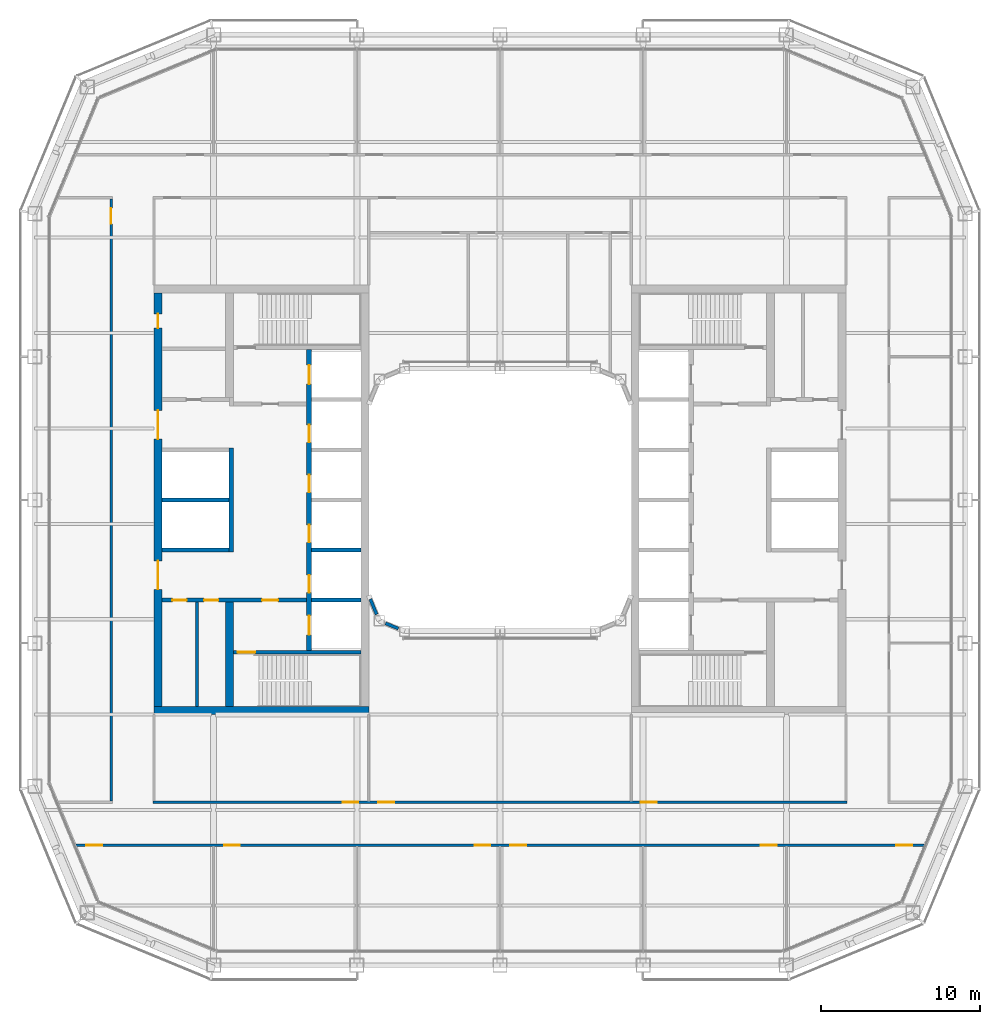
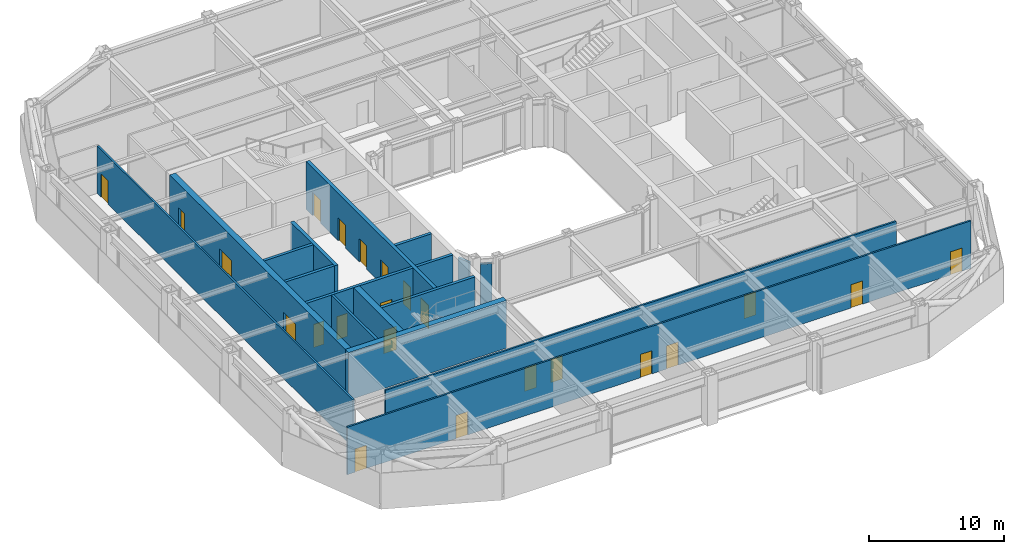
# One storey, part 11 of 21: 23 doors, 17 walls, 23 openings.
"""IFC4 building model written with IfcOpenShell, lengths in metres."""

import ifcopenshell
import ifcopenshell.guid

model = None  # the IFC model being written
_history = None  # IfcOwnerHistory: only IFC2X3 demands one
_inside = {}  # id of a spatial element -> (the spatial element, [elements in it])
_under = {}  # id of a project, library or spatial element -> (it, [spatial elements below it])
_declared = {}  # id of a project -> (the project, [libraries it declares])
_typed = {}  # id of a type object -> (the type object, [elements of that type])
_made_of = {}  # id of a material, layer set ... -> (it, [elements and type objects made of it])


def new_model(schema):
    """Start an empty IFC model of exactly this schema.

    Asked for "IFC4X3", IfcOpenShell would pick the latest addendum, in which some entities
    have other attributes; the version numbers below select the first issue.
    IFC2X3 requires an IfcOwnerHistory on every rooted entity: one is made here for all.
    """
    global model, _history
    if schema == "IFC4X3":
        model = ifcopenshell.file(schema_version=(4, 3, 0, 0))
    else:
        model = ifcopenshell.file(schema=schema)
    _inside.clear()
    _under.clear()
    _declared.clear()
    _typed.clear()
    _made_of.clear()
    _history = None
    if model.schema == "IFC2X3":
        org = make("IfcOrganization", Name="unknown")
        user = make(
            "IfcPersonAndOrganization",
            ThePerson=make("IfcPerson", FamilyName="unknown"),
            TheOrganization=org,
        )
        app = make(
            "IfcApplication",
            ApplicationDeveloper=org,
            Version="unknown",
            ApplicationFullName="unknown",
            ApplicationIdentifier="unknown",
        )
        _history = make(
            "IfcOwnerHistory",
            OwningUser=user,
            OwningApplication=app,
            ChangeAction="ADDED",
            CreationDate=0,
        )
    return model


def make(cls, **values):
    """One entity of the class cls with the attributes given. An attribute that is None is left unset."""
    return model.create_entity(
        cls, **{name: value for name, value in values.items() if value is not None}
    )


def rooted(cls, **values):
    """An entity with a GlobalId (a new one), such as an element, a storey or a relation."""
    return make(cls, GlobalId=ifcopenshell.guid.new(), OwnerHistory=_history, **values)


def si_unit(unit_type, name, prefix=None):
    """IfcSIUnit, for example si_unit("LENGTHUNIT", "METRE", prefix="MILLI")."""
    return make("IfcSIUnit", UnitType=unit_type, Prefix=prefix, Name=name)


def assignment(units):
    """IfcUnitAssignment: the units of a project."""
    return None if units is None else make("IfcUnitAssignment", Units=units)


def point(xyz):
    """IfcCartesianPoint."""
    return None if xyz is None else make("IfcCartesianPoint", Coordinates=xyz)


def direction(xyz):
    """IfcDirection."""
    return None if xyz is None else make("IfcDirection", DirectionRatios=xyz)


def frame(location, z_axis=None, x_axis=None):
    """IfcAxis2Placement3D, a coordinate frame: its origin and axes. An axis left out is left unset."""
    return make(
        "IfcAxis2Placement3D",
        Location=point(location),
        Axis=direction(z_axis),
        RefDirection=direction(x_axis),
    )


def frame_2d(location, x_axis=None):
    """IfcAxis2Placement2D, a coordinate frame in the plane: its origin and x axis."""
    return make(
        "IfcAxis2Placement2D", Location=point(location), RefDirection=direction(x_axis)
    )


def origin():
    """The frame at (0, 0, 0) with its axes left unset."""
    return frame((0.0, 0.0, 0.0))


def place(relative_to, where):
    """IfcLocalPlacement: puts the frame where relative to a parent placement (None: the world)."""
    return make(
        "IfcLocalPlacement", PlacementRelTo=relative_to, RelativePlacement=where
    )


def context(
    kind, dimensions, precision=None, world=None, true_north=None, identifier=None
):
    """IfcGeometricRepresentationContext, for example the 3D "Model" context."""
    return make(
        "IfcGeometricRepresentationContext",
        ContextIdentifier=identifier,
        ContextType=kind,
        CoordinateSpaceDimension=dimensions,
        Precision=precision,
        WorldCoordinateSystem=world,
        TrueNorth=true_north,
    )


def subcontext(parent, identifier, kind, view, scale=None):
    """IfcGeometricRepresentationSubContext, for example "Body" below "Model"."""
    return make(
        "IfcGeometricRepresentationSubContext",
        ContextIdentifier=identifier,
        ContextType=kind,
        ParentContext=parent,
        TargetScale=scale,
        TargetView=view,
    )


def project(units=None, contexts=None):
    """IfcProject with its units and contexts."""
    return rooted(
        "IfcProject",
        Name="project",
        RepresentationContexts=contexts,
        UnitsInContext=assignment(units),
    )


def spatial(cls, under=None, at=None, **own):
    """A site, building, storey or space (cls), placed at a placement, below another one or the project."""
    s = rooted(cls, ObjectPlacement=at, **own)
    if under is not None:
        _under.setdefault(under.id(), (under, []))[1].append(s)
    return s


def profile(cls, at=None, kind="AREA", **sizes):
    """A parametric profile (cls). Its sizes go by their IFC names, for example OverallWidth=200.0."""
    return make(cls, ProfileType=kind, Position=at, **sizes)


def rectangle(**sizes):
    """IfcRectangleProfileDef."""
    return profile("IfcRectangleProfileDef", **sizes)


def extrude(swept, where, along, depth):
    """IfcExtrudedAreaSolid: the profile swept, set in the frame where, extruded along a direction by depth."""
    return make(
        "IfcExtrudedAreaSolid",
        SweptArea=swept,
        Position=where,
        ExtrudedDirection=direction(along),
        Depth=depth,
    )


def shape(context_of_items, identifier, shape_type, items):
    """IfcShapeRepresentation: the items that make up one representation, for example the "Body"."""
    return make(
        "IfcShapeRepresentation",
        ContextOfItems=context_of_items,
        RepresentationIdentifier=identifier,
        RepresentationType=shape_type,
        Items=items,
    )


def material(Name=None, Category=None):
    """IfcMaterial."""
    return make("IfcMaterial", Name=Name, Category=Category)


def layer(
    of_material, thickness, ventilated=None, Name=None, Category=None, Priority=None
):
    """IfcMaterialLayer: one layer of a wall or slab, of a material (None: an air gap)."""
    return make(
        "IfcMaterialLayer",
        Material=of_material,
        LayerThickness=thickness,
        IsVentilated=ventilated,
        Name=Name,
        Category=Category,
        Priority=Priority,
    )


def layer_set(layers, Name=None):
    """IfcMaterialLayerSet."""
    return make("IfcMaterialLayerSet", MaterialLayers=layers, LayerSetName=Name)


def made_of(thing, what):
    """Note that an element or type object is made of a material, layer set ...; save() writes the relation."""
    if what is not None:
        _made_of.setdefault(what.id(), (what, []))[1].append(thing)
    return thing


def type_object(cls, material=None, **own):
    """A type object (cls), such as IfcWallType, which elements share."""
    return made_of(rooted(cls, **own), material)


def element(
    cls,
    number,
    at=None,
    inside=None,
    cuts=None,
    type_object=None,
    material=None,
    context=None,
    identifier="Body",
    shape_type=None,
    held_by="IfcProductDefinitionShape",
    body=None,
    shapes=None,
    **own,
):
    """One element of the class cls, such as IfcWall. Its Tag is "e" and its number.

    at: its placement. inside: the storey or other place that contains it. cuts: it is an
    opening in that element (IfcRelVoidsElement). A single representation is given by context,
    identifier, shape_type and body (its items); several are given by shapes. held_by: the class
    of the entity that holds the representations. save() writes the other relations.
    """
    e = rooted(cls, Tag="e%d" % number, ObjectPlacement=at, **own)
    if body is not None:
        shapes = [shape(context, identifier, shape_type, body)]
    if shapes is not None:
        e.Representation = make(held_by, Representations=shapes)
    if inside is not None:
        _inside.setdefault(inside.id(), (inside, []))[1].append(e)
    if cuts is not None:
        rooted(
            "IfcRelVoidsElement", RelatingBuildingElement=cuts, RelatedOpeningElement=e
        )
    if type_object is not None:
        _typed.setdefault(type_object.id(), (type_object, []))[1].append(e)
    return made_of(e, material)


def fill(opening, filler):
    """IfcRelFillsElement: the door or window that sits in an opening."""
    return rooted(
        "IfcRelFillsElement",
        RelatingOpeningElement=opening,
        RelatedBuildingElement=filler,
    )


def aggregate(whole, parts):
    """IfcRelAggregates: a whole, such as a stair, and the parts it consists of."""
    return rooted("IfcRelAggregates", RelatingObject=whole, RelatedObjects=parts)


def save(model, path):
    """Write the relations noted so far, then the file.

    IfcRelAggregates (storeys below a building ...), IfcRelContainedInSpatialStructure (elements
    in a storey), IfcRelDefinesByType, IfcRelAssociatesMaterial and IfcRelDeclares: one each for
    every whole, place, type object, material and project.
    """
    for whole, parts in _under.values():
        aggregate(whole, parts)
    for where, things in _inside.values():
        rooted(
            "IfcRelContainedInSpatialStructure",
            RelatedElements=things,
            RelatingStructure=where,
        )
    for kind, things in _typed.values():
        rooted("IfcRelDefinesByType", RelatedObjects=things, RelatingType=kind)
    for what, things in _made_of.values():
        rooted("IfcRelAssociatesMaterial", RelatedObjects=things, RelatingMaterial=what)
    for by, libraries in _declared.values():
        rooted("IfcRelDeclares", RelatingContext=by, RelatedDefinitions=libraries)
    model.write(path)


model = new_model("IFC4")

# Units and contexts
model_context = context("Model", 3, precision=1e-05, world=origin(), true_north=direction((0.0, 1.0)))
body_context = subcontext(model_context, "Body", "Model", "MODEL_VIEW")
ifc_project = project(units=[si_unit("LENGTHUNIT", "METRE"), si_unit("AREAUNIT", "SQUARE_METRE"), si_unit("VOLUMEUNIT", "CUBIC_METRE"), si_unit("PLANEANGLEUNIT", "RADIAN"), si_unit("MASSUNIT", "GRAM", prefix="KILO")], contexts=[model_context])

# Site, building, storey
site_placement = place(None, origin())
site = spatial("IfcSite", under=ifc_project, at=site_placement, CompositionType="ELEMENT")
building_placement = place(site_placement, origin())
building = spatial("IfcBuilding", under=site, at=building_placement, Name="Siwar Civic Tower", CompositionType="ELEMENT")
storey_placement = place(building_placement, frame((0.0, 0.0, 176.699951171875)))
storey = spatial("IfcBuildingStorey", under=building, at=storey_placement, Name="L38", CompositionType="ELEMENT", Elevation=176.699951171875)

# Wall
ifc_material_1 = material(Name="Gypsum board on steel studs", Category="steel")
ifc_layer_1 = layer(ifc_material_1, 0.199951171875)
ifc_layer_set_1 = layer_set([ifc_layer_1], Name="Gypsum board on steel studs")
wall_type_1 = type_object("IfcWallType", Name="CORE-PARTITION-200", PredefinedType="PARTITIONING", material=ifc_layer_set_1)
wall_1_placement = place(storey_placement, frame((-19.050048828125, -13.0, 0.0), z_axis=(0.0, 0.0, 1.0), x_axis=(0.0, 1.0, 0.0)))
element("IfcWall", 1, at=wall_1_placement, inside=storey, type_object=wall_type_1, Name="Core partition W", PredefinedType="PARTITIONING", context=body_context, shape_type="SweptSolid", body=[
    extrude(rectangle(XDim=6.574951171875, YDim=0.199951171875, at=frame_2d((3.28759765625, 0.0))), origin(), (0.0, 0.0, 1.0), 4.300048828125),
])

# Wall, openings, doors
ifc_material_2 = material(Name="Concrete C60/75", Category="concrete")
ifc_layer_2 = layer(ifc_material_2, 0.25)
ifc_layer_set_2 = layer_set([ifc_layer_2], Name="Concrete C60/75")
wall_type_2 = type_object("IfcWallType", Name="CORE-WALL-RC250", PredefinedType="SHEAR", material=ifc_layer_set_2)
wall_2_placement = place(storey_placement, frame((-12.14990234375, -6.300048828125, 0.0), z_axis=(0.0, 0.0, 1.0), x_axis=(-1.0, 0.0, 0.0)))
wall_2 = element("IfcWall", 2, at=wall_2_placement, inside=storey, type_object=wall_type_2, Name="Core wall W", PredefinedType="SHEAR", context=body_context, shape_type="SweptSolid", body=[
    extrude(rectangle(XDim=9.10009765625, YDim=0.25, at=frame_2d((4.550048828125, 0.0))), origin(), (0.0, 0.0, 1.0), 4.300048828125),
])
opening_1_placement = place(wall_2_placement, frame((1.800048828125, 0.0, 0.0)))
opening_1 = element("IfcOpeningElement", 3, at=opening_1_placement, cuts=wall_2, Name="Opening L38-CW02", PredefinedType="OPENING", context=body_context, shape_type="SweptSolid", body=[
    extrude(rectangle(XDim=1.0, YDim=2.10009765625, at=frame_2d((0.5, 1.050048828125))), frame((0.0, 0.135009765625, 0.0), z_axis=(0.0, -1.0, 0.0), x_axis=(1.0, 0.0, 0.0)), (0.0, 0.0, 1.0), 0.27001953125),
])
opening_2_placement = place(wall_2_placement, frame((5.550048828125, 0.0, 0.0)))
opening_2 = element("IfcOpeningElement", 4, at=opening_2_placement, cuts=wall_2, Name="Opening L38-CW15", PredefinedType="OPENING", context=body_context, shape_type="SweptSolid", body=[
    extrude(rectangle(XDim=0.89990234375, YDim=2.10009765625, at=frame_2d((0.449951171875, 1.050048828125))), frame((0.0, 0.135009765625, 0.0), z_axis=(0.0, -1.0, 0.0), x_axis=(1.0, 0.0, 0.0)), (0.0, 0.0, 1.0), 0.27001953125),
])
opening_3_placement = place(wall_2_placement, frame((7.550048828125, 0.0, 0.0)))
opening_3 = element("IfcOpeningElement", 5, at=opening_3_placement, cuts=wall_2, Name="Opening L38-CW16", PredefinedType="OPENING", context=body_context, shape_type="SweptSolid", body=[
    extrude(rectangle(XDim=0.89990234375, YDim=2.10009765625, at=frame_2d((0.449951171875, 1.050048828125))), frame((0.0, 0.135009765625, 0.0), z_axis=(0.0, -1.0, 0.0), x_axis=(1.0, 0.0, 0.0)), (0.0, 0.0, 1.0), 0.27001953125),
])
ifc_material_3 = material(Name="Steel door leaf", Category="steel")
door_type_1 = type_object("IfcDoorType", Name="CORE-DOOR-FD30S", OperationType="SINGLE_SWING_LEFT", PredefinedType="DOOR", material=ifc_material_3)
door_1_placement = place(opening_1_placement, origin())
door_1 = element("IfcDoor", 6, at=door_1_placement, inside=storey, type_object=door_type_1, Name="Service lobby door L38-CW02", OperationType="SINGLE_SWING_RIGHT", OverallHeight=2.10009765625, OverallWidth=1.0, PredefinedType="DOOR", context=body_context, shape_type="SweptSolid", body=[
    extrude(rectangle(XDim=1.0, YDim=2.10009765625, at=frame_2d((0.5, 1.050048828125))), frame((0.0, 0.02490234375, 0.0), z_axis=(0.0, -1.0, 0.0), x_axis=(1.0, 0.0, 0.0)), (0.0, 0.0, 1.0), 0.050048828125),
])
fill(opening_1, door_1)
ifc_material_4 = material(Name="Steel door leaf", Category="steel")
door_type_2 = type_object("IfcDoorType", Name="CORE-DOOR-ROOM", OperationType="SINGLE_SWING_LEFT", PredefinedType="DOOR", material=ifc_material_4)
door_2_placement = place(opening_2_placement, origin())
door_2 = element("IfcDoor", 7, at=door_2_placement, inside=storey, type_object=door_type_2, Name="Core room door L38-CW15", OperationType="SINGLE_SWING_LEFT", OverallHeight=2.10009765625, OverallWidth=0.89990234375, PredefinedType="DOOR", context=body_context, shape_type="SweptSolid", body=[
    extrude(rectangle(XDim=0.89990234375, YDim=2.10009765625, at=frame_2d((0.449951171875, 1.050048828125))), frame((0.0, 0.02490234375, 0.0), z_axis=(0.0, -1.0, 0.0), x_axis=(1.0, 0.0, 0.0)), (0.0, 0.0, 1.0), 0.050048828125),
])
fill(opening_2, door_2)
door_3_placement = place(opening_3_placement, origin())
door_3 = element("IfcDoor", 8, at=door_3_placement, inside=storey, type_object=door_type_2, Name="Core room door L38-CW16", OperationType="SINGLE_SWING_RIGHT", OverallHeight=2.10009765625, OverallWidth=0.89990234375, PredefinedType="DOOR", context=body_context, shape_type="SweptSolid", body=[
    extrude(rectangle(XDim=0.89990234375, YDim=2.10009765625, at=frame_2d((0.449951171875, 1.050048828125))), frame((0.0, 0.02490234375, 0.0), z_axis=(0.0, -1.0, 0.0), x_axis=(1.0, 0.0, 0.0)), (0.0, 0.0, 1.0), 0.050048828125),
])
fill(opening_3, door_3)

# Walls
for number, where, z_axis, x_axis, name in (
    (9, (-17.050048828125, 0.0, 0.0), (0.0, 0.0, 1.0), (-1.0, 0.0, 0.0), "Core wall W"),
    (10, (-17.050048828125, -3.14990234375, 0.0), (0.0, 0.0, 1.0), (-1.0, 0.0, 0.0), "Core wall W"),
):
    element("IfcWall", number, at=place(storey_placement, frame(where, z_axis=z_axis, x_axis=x_axis)), inside=storey, type_object=wall_type_2, Name=name, PredefinedType="SHEAR", context=body_context, shape_type="SweptSolid", body=[
        extrude(rectangle(XDim=4.199951171875, YDim=0.25, at=frame_2d((2.10009765625, 0.0))), origin(), (0.0, 0.0, 1.0), 4.300048828125),
    ])
for number, where, z_axis, x_axis, name in (
    (11, (-8.75, -3.14990234375, 0.0), (0.0, 0.0, 1.0), (-1.0, 0.0, 0.0), "Core wall W"),
    (12, (-8.75, -6.300048828125, 0.0), (0.0, 0.0, 1.0), (-1.0, 0.0, 0.0), "Core wall W"),
):
    element("IfcWall", number, at=place(storey_placement, frame(where, z_axis=z_axis, x_axis=x_axis)), inside=storey, type_object=wall_type_2, Name=name, PredefinedType="SHEAR", context=body_context, shape_type="SweptSolid", body=[
        extrude(rectangle(XDim=3.10009765625, YDim=0.25, at=frame_2d((1.550048828125, 0.0))), origin(), (0.0, 0.0, 1.0), 4.300048828125),
    ])

# Wall, opening, door
wall_3_placement = place(storey_placement, frame((-8.75, -9.574951171875, 0.0), z_axis=(0.0, 0.0, 1.0), x_axis=(-1.0, 0.0, 0.0)))
wall_3 = element("IfcWall", 13, at=wall_3_placement, inside=storey, type_object=wall_type_2, Name="Core wall W", PredefinedType="SHEAR", context=body_context, shape_type="SweptSolid", body=[
    extrude(rectangle(XDim=8.0, YDim=0.25, at=frame_2d((4.0, 0.0))), origin(), (0.0, 0.0, 1.0), 4.300048828125),
])
opening_4_placement = place(wall_3_placement, frame((6.64990234375, 0.0, 0.0)))
opening_4 = element("IfcOpeningElement", 14, at=opening_4_placement, cuts=wall_3, Name="Opening L38-CW04", PredefinedType="OPENING", context=body_context, shape_type="SweptSolid", body=[
    extrude(rectangle(XDim=1.10009765625, YDim=2.10009765625, at=frame_2d((0.550048828125, 1.050048828125))), frame((0.0, 0.135009765625, 0.0), z_axis=(0.0, -1.0, 0.0), x_axis=(1.0, 0.0, 0.0)), (0.0, 0.0, 1.0), 0.27001953125),
])
ifc_material_5 = material(Name="Steel door leaf", Category="steel")
door_type_3 = type_object("IfcDoorType", Name="CORE-DOOR-FD60S", OperationType="SINGLE_SWING_LEFT", PredefinedType="DOOR", material=ifc_material_5)
door_4_placement = place(opening_4_placement, origin())
door_4 = element("IfcDoor", 15, at=door_4_placement, inside=storey, type_object=door_type_3, Name="Stair door L38-CW04", OperationType="SINGLE_SWING_LEFT", OverallHeight=2.10009765625, OverallWidth=1.10009765625, PredefinedType="DOOR", context=body_context, shape_type="SweptSolid", body=[
    extrude(rectangle(XDim=1.10009765625, YDim=2.10009765625, at=frame_2d((0.550048828125, 1.050048828125))), frame((0.0, 0.02490234375, 0.0), z_axis=(0.0, -1.0, 0.0), x_axis=(1.0, 0.0, 0.0)), (0.0, 0.0, 1.0), 0.050048828125),
])
fill(opening_4, door_4)

# Wall, openings, doors
ifc_material_6 = material(Name="Concrete C60/75", Category="concrete")
ifc_layer_3 = layer(ifc_material_6, 0.300048828125)
ifc_layer_set_3 = layer_set([ifc_layer_3], Name="Concrete C60/75")
wall_type_3 = type_object("IfcWallType", Name="CORE-WALL-RC300", PredefinedType="SHEAR", material=ifc_layer_set_3)
wall_4_placement = place(storey_placement, frame((-12.0, -9.449951171875, 0.0), z_axis=(0.0, 0.0, 1.0), x_axis=(0.0, 1.0, 0.0)))
wall_4 = element("IfcWall", 16, at=wall_4_placement, inside=storey, type_object=wall_type_3, Name="Core wall W", PredefinedType="SHEAR", context=body_context, shape_type="SweptSolid", body=[
    extrude(rectangle(XDim=18.89990234375, YDim=0.300048828125, at=frame_2d((9.449951171875, 0.0))), origin(), (0.0, 0.0, 1.0), 4.300048828125),
])
opening_5_placement = place(wall_4_placement, frame((3.625, 0.0, 0.0)))
opening_5 = element("IfcOpeningElement", 17, at=opening_5_placement, cuts=wall_4, Name="Opening L38-CW07", PredefinedType="OPENING", context=body_context, shape_type="SweptSolid", body=[
    extrude(rectangle(XDim=1.10009765625, YDim=2.10009765625, at=frame_2d((0.550048828125, 1.050048828125))), frame((0.0, 0.16015625, 0.0), z_axis=(0.0, -1.0, 0.0), x_axis=(1.0, 0.0, 0.0)), (0.0, 0.0, 1.0), 0.320068359375),
])
opening_6_placement = place(wall_4_placement, frame((6.77490234375, 0.0, 0.0)))
opening_6 = element("IfcOpeningElement", 18, at=opening_6_placement, cuts=wall_4, Name="Opening L38-CW08", PredefinedType="OPENING", context=body_context, shape_type="SweptSolid", body=[
    extrude(rectangle(XDim=1.10009765625, YDim=2.10009765625, at=frame_2d((0.550048828125, 1.050048828125))), frame((0.0, 0.16015625, 0.0), z_axis=(0.0, -1.0, 0.0), x_axis=(1.0, 0.0, 0.0)), (0.0, 0.0, 1.0), 0.320068359375),
])
opening_7_placement = place(wall_4_placement, frame((9.925048828125, 0.0, 0.0)))
opening_7 = element("IfcOpeningElement", 19, at=opening_7_placement, cuts=wall_4, Name="Opening L38-CW09", PredefinedType="OPENING", context=body_context, shape_type="SweptSolid", body=[
    extrude(rectangle(XDim=1.10009765625, YDim=2.10009765625, at=frame_2d((0.550048828125, 1.050048828125))), frame((0.0, 0.16015625, 0.0), z_axis=(0.0, -1.0, 0.0), x_axis=(1.0, 0.0, 0.0)), (0.0, 0.0, 1.0), 0.320068359375),
])
opening_8_placement = place(wall_4_placement, frame((13.074951171875, 0.0, 0.0)))
opening_8 = element("IfcOpeningElement", 20, at=opening_8_placement, cuts=wall_4, Name="Opening L38-CW10", PredefinedType="OPENING", context=body_context, shape_type="SweptSolid", body=[
    extrude(rectangle(XDim=1.10009765625, YDim=2.10009765625, at=frame_2d((0.550048828125, 1.050048828125))), frame((0.0, 0.16015625, 0.0), z_axis=(0.0, -1.0, 0.0), x_axis=(1.0, 0.0, 0.0)), (0.0, 0.0, 1.0), 0.320068359375),
])
opening_9_placement = place(wall_4_placement, frame((16.72509765625, 0.0, 0.0)))
opening_9 = element("IfcOpeningElement", 21, at=opening_9_placement, cuts=wall_4, Name="Opening L38-CW11", PredefinedType="OPENING", context=body_context, shape_type="SweptSolid", body=[
    extrude(rectangle(XDim=1.199951171875, YDim=2.10009765625, at=frame_2d((0.60009765625, 1.050048828125))), frame((0.0, 0.16015625, 0.0), z_axis=(0.0, -1.0, 0.0), x_axis=(1.0, 0.0, 0.0)), (0.0, 0.0, 1.0), 0.320068359375),
])
opening_10_placement = place(wall_4_placement, frame((0.97509765625, 0.0, 0.0)))
opening_10 = element("IfcOpeningElement", 22, at=opening_10_placement, cuts=wall_4, Name="Opening L38-CW12", PredefinedType="OPENING", context=body_context, shape_type="SweptSolid", body=[
    extrude(rectangle(XDim=1.199951171875, YDim=2.10009765625, at=frame_2d((0.60009765625, 1.050048828125))), frame((0.0, 0.16015625, 0.0), z_axis=(0.0, -1.0, 0.0), x_axis=(1.0, 0.0, 0.0)), (0.0, 0.0, 1.0), 0.320068359375),
])
ifc_material_7 = material(Name="Steel door leaf", Category="steel")
door_type_4 = type_object("IfcDoorType", Name="CORE-DOOR-LD", OperationType="DOUBLE_DOOR_SLIDING", PredefinedType="DOOR", material=ifc_material_7)
door_5_placement = place(opening_5_placement, origin())
door_5 = element("IfcDoor", 23, at=door_5_placement, inside=storey, type_object=door_type_4, Name="Landing door LR1 L38-CW07", OperationType="DOUBLE_DOOR_SLIDING", OverallHeight=2.10009765625, OverallWidth=1.10009765625, PredefinedType="DOOR", context=body_context, shape_type="SweptSolid", body=[
    extrude(rectangle(XDim=1.10009765625, YDim=2.10009765625, at=frame_2d((0.550048828125, 1.050048828125))), frame((0.0, 0.02490234375, 0.0), z_axis=(0.0, -1.0, 0.0), x_axis=(1.0, 0.0, 0.0)), (0.0, 0.0, 1.0), 0.050048828125),
])
fill(opening_5, door_5)
door_6_placement = place(opening_6_placement, origin())
door_6 = element("IfcDoor", 24, at=door_6_placement, inside=storey, type_object=door_type_4, Name="Landing door LR2 L38-CW08", OperationType="DOUBLE_DOOR_SLIDING", OverallHeight=2.10009765625, OverallWidth=1.10009765625, PredefinedType="DOOR", context=body_context, shape_type="SweptSolid", body=[
    extrude(rectangle(XDim=1.10009765625, YDim=2.10009765625, at=frame_2d((0.550048828125, 1.050048828125))), frame((0.0, 0.02490234375, 0.0), z_axis=(0.0, -1.0, 0.0), x_axis=(1.0, 0.0, 0.0)), (0.0, 0.0, 1.0), 0.050048828125),
])
fill(opening_6, door_6)
door_7_placement = place(opening_7_placement, origin())
door_7 = element("IfcDoor", 25, at=door_7_placement, inside=storey, type_object=door_type_4, Name="Landing door LR3 L38-CW09", OperationType="DOUBLE_DOOR_SLIDING", OverallHeight=2.10009765625, OverallWidth=1.10009765625, PredefinedType="DOOR", context=body_context, shape_type="SweptSolid", body=[
    extrude(rectangle(XDim=1.10009765625, YDim=2.10009765625, at=frame_2d((0.550048828125, 1.050048828125))), frame((0.0, 0.02490234375, 0.0), z_axis=(0.0, -1.0, 0.0), x_axis=(1.0, 0.0, 0.0)), (0.0, 0.0, 1.0), 0.050048828125),
])
fill(opening_7, door_7)
door_8_placement = place(opening_8_placement, origin())
door_8 = element("IfcDoor", 26, at=door_8_placement, inside=storey, type_object=door_type_4, Name="Landing door LR4 L38-CW10", OperationType="DOUBLE_DOOR_SLIDING", OverallHeight=2.10009765625, OverallWidth=1.10009765625, PredefinedType="DOOR", context=body_context, shape_type="SweptSolid", body=[
    extrude(rectangle(XDim=1.10009765625, YDim=2.10009765625, at=frame_2d((0.550048828125, 1.050048828125))), frame((0.0, 0.02490234375, 0.0), z_axis=(0.0, -1.0, 0.0), x_axis=(1.0, 0.0, 0.0)), (0.0, 0.0, 1.0), 0.050048828125),
])
fill(opening_8, door_8)
ifc_material_8 = material(Name="Steel door leaf", Category="steel")
door_type_5 = type_object("IfcDoorType", Name="CORE-DOOR-LDW", OperationType="DOUBLE_DOOR_SLIDING", PredefinedType="DOOR", material=ifc_material_8)
door_9_placement = place(opening_9_placement, origin())
door_9 = element("IfcDoor", 27, at=door_9_placement, inside=storey, type_object=door_type_5, Name="Landing door FF1 L38-CW11", OperationType="DOUBLE_DOOR_SLIDING", OverallHeight=2.10009765625, OverallWidth=1.199951171875, PredefinedType="DOOR", context=body_context, shape_type="SweptSolid", body=[
    extrude(rectangle(XDim=1.199951171875, YDim=2.10009765625, at=frame_2d((0.60009765625, 1.050048828125))), frame((0.0, 0.02490234375, 0.0), z_axis=(0.0, -1.0, 0.0), x_axis=(1.0, 0.0, 0.0)), (0.0, 0.0, 1.0), 0.050048828125),
])
fill(opening_9, door_9)
door_10_placement = place(opening_10_placement, origin())
door_10 = element("IfcDoor", 28, at=door_10_placement, inside=storey, type_object=door_type_5, Name="Landing door SV1 L38-CW12", OperationType="DOUBLE_DOOR_SLIDING", OverallHeight=2.10009765625, OverallWidth=1.199951171875, PredefinedType="DOOR", context=body_context, shape_type="SweptSolid", body=[
    extrude(rectangle(XDim=1.199951171875, YDim=2.10009765625, at=frame_2d((0.60009765625, 1.050048828125))), frame((0.0, 0.02490234375, 0.0), z_axis=(0.0, -1.0, 0.0), x_axis=(1.0, 0.0, 0.0)), (0.0, 0.0, 1.0), 0.050048828125),
])
fill(opening_10, door_10)

# Wall
wall_5_placement = place(storey_placement, frame((-16.89990234375, -3.27490234375, 0.0), z_axis=(0.0, 0.0, 1.0), x_axis=(0.0, 1.0, 0.0)))
element("IfcWall", 29, at=wall_5_placement, inside=storey, type_object=wall_type_3, Name="Core wall W", PredefinedType="SHEAR", context=body_context, shape_type="SweptSolid", body=[
    extrude(rectangle(XDim=6.5498046875, YDim=0.300048828125, at=frame_2d((3.27490234375, 0.0))), origin(), (0.0, 0.0, 1.0), 4.300048828125),
])

# Wall, openings, doors
ifc_material_9 = material(Name="Concrete C60/75", Category="concrete")
ifc_layer_4 = layer(ifc_material_9, 0.5)
ifc_layer_set_4 = layer_set([ifc_layer_4], Name="Concrete C60/75")
wall_type_4 = type_object("IfcWallType", Name="CORE-WALL-RC500", PredefinedType="SHEAR", material=ifc_layer_set_4)
wall_6_placement = place(storey_placement, frame((-21.5, -13.0, 0.0), z_axis=(0.0, 0.0, 1.0), x_axis=(0.0, 1.0, 0.0)))
wall_6 = element("IfcWall", 30, at=wall_6_placement, inside=storey, type_object=wall_type_4, Name="Core wall W", PredefinedType="SHEAR", context=body_context, shape_type="SweptSolid", body=[
    extrude(rectangle(XDim=26.0, YDim=0.5, at=frame_2d((13.0, 0.0))), origin(), (0.0, 0.0, 1.0), 4.300048828125),
])
opening_11_placement = place(wall_6_placement, frame((16.824951171875, 0.0, 0.0)))
opening_11 = element("IfcOpeningElement", 31, at=opening_11_placement, cuts=wall_6, Name="Opening L38-CW05", PredefinedType="OPENING", context=body_context, shape_type="SweptSolid", body=[
    extrude(rectangle(XDim=1.800048828125, YDim=2.10009765625, at=frame_2d((0.89990234375, 1.050048828125))), frame((0.0, 0.260009765625, 0.0), z_axis=(0.0, -1.0, 0.0), x_axis=(1.0, 0.0, 0.0)), (0.0, 0.0, 1.0), 0.52001953125),
])
opening_12_placement = place(wall_6_placement, frame((7.375, 0.0, 0.0)))
opening_12 = element("IfcOpeningElement", 32, at=opening_12_placement, cuts=wall_6, Name="Opening L38-CW06", PredefinedType="OPENING", context=body_context, shape_type="SweptSolid", body=[
    extrude(rectangle(XDim=1.800048828125, YDim=2.10009765625, at=frame_2d((0.89990234375, 1.050048828125))), frame((0.0, 0.260009765625, 0.0), z_axis=(0.0, -1.0, 0.0), x_axis=(1.0, 0.0, 0.0)), (0.0, 0.0, 1.0), 0.52001953125),
])
opening_13_placement = place(wall_6_placement, frame((23.800048828125, 0.0, 0.0)))
opening_13 = element("IfcOpeningElement", 33, at=opening_13_placement, cuts=wall_6, Name="Opening L38-CW14", PredefinedType="OPENING", context=body_context, shape_type="SweptSolid", body=[
    extrude(rectangle(XDim=0.89990234375, YDim=2.10009765625, at=frame_2d((0.449951171875, 1.050048828125))), frame((0.0, 0.260009765625, 0.0), z_axis=(0.0, -1.0, 0.0), x_axis=(1.0, 0.0, 0.0)), (0.0, 0.0, 1.0), 0.52001953125),
])
ifc_material_10 = material(Name="Steel door leaf", Category="steel")
door_type_6 = type_object("IfcDoorType", Name="CORE-DOOR-PORT", OperationType="DOUBLE_DOOR_DOUBLE_SWING", PredefinedType="DOOR", material=ifc_material_10)
door_11_placement = place(opening_11_placement, origin())
door_11 = element("IfcDoor", 34, at=door_11_placement, inside=storey, type_object=door_type_6, Name="Core entrance door L38-CW05", OperationType="DOUBLE_DOOR_DOUBLE_SWING", OverallHeight=2.10009765625, OverallWidth=1.800048828125, PredefinedType="DOOR", context=body_context, shape_type="SweptSolid", body=[
    extrude(rectangle(XDim=1.800048828125, YDim=2.10009765625, at=frame_2d((0.89990234375, 1.050048828125))), frame((0.0, 0.02490234375, 0.0), z_axis=(0.0, -1.0, 0.0), x_axis=(1.0, 0.0, 0.0)), (0.0, 0.0, 1.0), 0.050048828125),
])
fill(opening_11, door_11)
door_12_placement = place(opening_12_placement, origin())
door_12 = element("IfcDoor", 35, at=door_12_placement, inside=storey, type_object=door_type_6, Name="Core entrance door L38-CW06", OperationType="DOUBLE_DOOR_DOUBLE_SWING", OverallHeight=2.10009765625, OverallWidth=1.800048828125, PredefinedType="DOOR", context=body_context, shape_type="SweptSolid", body=[
    extrude(rectangle(XDim=1.800048828125, YDim=2.10009765625, at=frame_2d((0.89990234375, 1.050048828125))), frame((0.0, 0.02490234375, 0.0), z_axis=(0.0, -1.0, 0.0), x_axis=(1.0, 0.0, 0.0)), (0.0, 0.0, 1.0), 0.050048828125),
])
fill(opening_12, door_12)
door_13_placement = place(opening_13_placement, origin())
door_13 = element("IfcDoor", 36, at=door_13_placement, inside=storey, type_object=door_type_2, Name="Core room door L38-CW14", OperationType="SINGLE_SWING_LEFT", OverallHeight=2.10009765625, OverallWidth=0.89990234375, PredefinedType="DOOR", context=body_context, shape_type="SweptSolid", body=[
    extrude(rectangle(XDim=0.89990234375, YDim=2.10009765625, at=frame_2d((0.449951171875, 1.050048828125))), frame((0.0, 0.02490234375, 0.0), z_axis=(0.0, -1.0, 0.0), x_axis=(1.0, 0.0, 0.0)), (0.0, 0.0, 1.0), 0.050048828125),
])
fill(opening_13, door_13)

# Walls
wall_7_placement = place(storey_placement, frame((-17.0, -13.0, 0.0), z_axis=(0.0, 0.0, 1.0), x_axis=(0.0, 1.0, 0.0)))
element("IfcWall", 37, at=wall_7_placement, inside=storey, type_object=wall_type_4, Name="Core wall W", PredefinedType="SHEAR", context=body_context, shape_type="SweptSolid", body=[
    extrude(rectangle(XDim=6.574951171875, YDim=0.5, at=frame_2d((3.28759765625, 0.0))), origin(), (0.0, 0.0, 1.0), 4.300048828125),
])
wall_8_placement = place(storey_placement, frame((-8.25, -13.25, 0.0), z_axis=(0.0, 0.0, 1.0), x_axis=(-1.0, 0.0, 0.0)))
element("IfcWall", 38, at=wall_8_placement, inside=storey, type_object=wall_type_4, Name="Core wall W", PredefinedType="SHEAR", context=body_context, shape_type="SweptSolid", body=[
    extrude(rectangle(XDim=13.5, YDim=0.5, at=frame_2d((6.75, 0.0))), origin(), (0.0, 0.0, 1.0), 4.300048828125),
])

# Wall, openings, doors
ifc_material_11 = material(Name="Gypsum board on steel studs", Category="steel")
ifc_layer_5 = layer(ifc_material_11, 0.14990234375)
ifc_layer_set_5 = layer_set([ifc_layer_5], Name="Gypsum board on steel studs")
wall_type_5 = type_object("IfcWallType", Name="CORRIDOR PARTITION 150 EI 30", PredefinedType="PARTITIONING", material=ifc_layer_set_5)
wall_9_placement = place(storey_placement, frame((-26.64599609375, -21.699951171875, 0.0), z_axis=(0.0, 0.0, 1.0), x_axis=(1.0, 0.0, 0.0)))
wall_9 = element("IfcWall", 39, at=wall_9_placement, inside=storey, type_object=wall_type_5, Name="L38/wall/P01", PredefinedType="PARTITIONING", context=body_context, shape_type="SweptSolid", body=[
    extrude(rectangle(XDim=53.2919921875, YDim=0.14990234375, at=frame_2d((26.64599609375, 0.0))), origin(), (0.0, 0.0, 1.0), 4.300048828125),
])
opening_14_placement = place(wall_9_placement, frame((9.2958984375, 0.0, 0.0)))
opening_14 = element("IfcOpeningElement", 40, at=opening_14_placement, cuts=wall_9, Name="Opening D1", PredefinedType="OPENING", context=body_context, shape_type="SweptSolid", body=[
    extrude(rectangle(XDim=1.0, YDim=2.10009765625, at=frame_2d((0.5, 1.050048828125))), frame((0.0, 0.0849609375, 0.0), z_axis=(0.0, -1.0, 0.0), x_axis=(1.0, 0.0, 0.0)), (0.0, 0.0, 1.0), 0.169921875),
])
opening_15_placement = place(wall_9_placement, frame((25.0458984375, 0.0, 0.0)))
opening_15 = element("IfcOpeningElement", 41, at=opening_15_placement, cuts=wall_9, Name="Opening D1", PredefinedType="OPENING", context=body_context, shape_type="SweptSolid", body=[
    extrude(rectangle(XDim=1.0, YDim=2.10009765625, at=frame_2d((0.5, 1.050048828125))), frame((0.0, 0.0849609375, 0.0), z_axis=(0.0, -1.0, 0.0), x_axis=(1.0, 0.0, 0.0)), (0.0, 0.0, 1.0), 0.169921875),
])
opening_16_placement = place(wall_9_placement, frame((27.2958984375, 0.0, 0.0)))
opening_16 = element("IfcOpeningElement", 42, at=opening_16_placement, cuts=wall_9, Name="Opening D1", PredefinedType="OPENING", context=body_context, shape_type="SweptSolid", body=[
    extrude(rectangle(XDim=1.0, YDim=2.10009765625, at=frame_2d((0.5, 1.050048828125))), frame((0.0, 0.0849609375, 0.0), z_axis=(0.0, -1.0, 0.0), x_axis=(1.0, 0.0, 0.0)), (0.0, 0.0, 1.0), 0.169921875),
])
opening_17_placement = place(wall_9_placement, frame((43.0458984375, 0.0, 0.0)))
opening_17 = element("IfcOpeningElement", 43, at=opening_17_placement, cuts=wall_9, Name="Opening D1", PredefinedType="OPENING", context=body_context, shape_type="SweptSolid", body=[
    extrude(rectangle(XDim=1.0, YDim=2.10009765625, at=frame_2d((0.5, 1.050048828125))), frame((0.0, 0.0849609375, 0.0), z_axis=(0.0, -1.0, 0.0), x_axis=(1.0, 0.0, 0.0)), (0.0, 0.0, 1.0), 0.169921875),
])
opening_18_placement = place(wall_9_placement, frame((0.64990234375, 0.0, 0.0)))
opening_18 = element("IfcOpeningElement", 44, at=opening_18_placement, cuts=wall_9, Name="Opening D1", PredefinedType="OPENING", context=body_context, shape_type="SweptSolid", body=[
    extrude(rectangle(XDim=1.0, YDim=2.10009765625, at=frame_2d((0.5, 1.050048828125))), frame((0.0, 0.0849609375, 0.0), z_axis=(0.0, -1.0, 0.0), x_axis=(1.0, 0.0, 0.0)), (0.0, 0.0, 1.0), 0.169921875),
])
opening_19_placement = place(wall_9_placement, frame((51.5458984375, 0.0, 0.0)))
opening_19 = element("IfcOpeningElement", 45, at=opening_19_placement, cuts=wall_9, Name="Opening D1", PredefinedType="OPENING", context=body_context, shape_type="SweptSolid", body=[
    extrude(rectangle(XDim=1.0, YDim=2.10009765625, at=frame_2d((0.5, 1.050048828125))), frame((0.0, 0.0849609375, 0.0), z_axis=(0.0, -1.0, 0.0), x_axis=(1.0, 0.0, 0.0)), (0.0, 0.0, 1.0), 0.169921875),
])
ifc_material_12 = material(Name="Timber, painted", Category="wood")
door_type_7 = type_object("IfcDoorType", Name="DOOR 1000 X 2100 FD30", OperationType="SINGLE_SWING_LEFT", PredefinedType="DOOR", material=ifc_material_12)
door_14_placement = place(opening_14_placement, origin())
door_14 = element("IfcDoor", 46, at=door_14_placement, inside=storey, type_object=door_type_7, Name="L38-D05", OperationType="SINGLE_SWING_LEFT", OverallHeight=2.10009765625, OverallWidth=1.0, PredefinedType="DOOR", context=body_context, shape_type="SweptSolid", body=[
    extrude(rectangle(XDim=1.0, YDim=2.10009765625, at=frame_2d((0.5, 1.050048828125))), frame((0.0, 0.02490234375, 0.0), z_axis=(0.0, -1.0, 0.0), x_axis=(1.0, 0.0, 0.0)), (0.0, 0.0, 1.0), 0.050048828125),
])
fill(opening_14, door_14)
door_15_placement = place(opening_15_placement, origin())
door_15 = element("IfcDoor", 47, at=door_15_placement, inside=storey, type_object=door_type_7, Name="L38-D06", OperationType="SINGLE_SWING_RIGHT", OverallHeight=2.10009765625, OverallWidth=1.0, PredefinedType="DOOR", context=body_context, shape_type="SweptSolid", body=[
    extrude(rectangle(XDim=1.0, YDim=2.10009765625, at=frame_2d((0.5, 1.050048828125))), frame((0.0, 0.02490234375, 0.0), z_axis=(0.0, -1.0, 0.0), x_axis=(1.0, 0.0, 0.0)), (0.0, 0.0, 1.0), 0.050048828125),
])
fill(opening_15, door_15)
door_16_placement = place(opening_16_placement, origin())
door_16 = element("IfcDoor", 48, at=door_16_placement, inside=storey, type_object=door_type_7, Name="L38-D07", OperationType="SINGLE_SWING_LEFT", OverallHeight=2.10009765625, OverallWidth=1.0, PredefinedType="DOOR", context=body_context, shape_type="SweptSolid", body=[
    extrude(rectangle(XDim=1.0, YDim=2.10009765625, at=frame_2d((0.5, 1.050048828125))), frame((0.0, 0.02490234375, 0.0), z_axis=(0.0, -1.0, 0.0), x_axis=(1.0, 0.0, 0.0)), (0.0, 0.0, 1.0), 0.050048828125),
])
fill(opening_16, door_16)
door_17_placement = place(opening_17_placement, origin())
door_17 = element("IfcDoor", 49, at=door_17_placement, inside=storey, type_object=door_type_7, Name="L38-D08", OperationType="SINGLE_SWING_RIGHT", OverallHeight=2.10009765625, OverallWidth=1.0, PredefinedType="DOOR", context=body_context, shape_type="SweptSolid", body=[
    extrude(rectangle(XDim=1.0, YDim=2.10009765625, at=frame_2d((0.5, 1.050048828125))), frame((0.0, 0.02490234375, 0.0), z_axis=(0.0, -1.0, 0.0), x_axis=(1.0, 0.0, 0.0)), (0.0, 0.0, 1.0), 0.050048828125),
])
fill(opening_17, door_17)
door_18_placement = place(opening_18_placement, origin())
door_18 = element("IfcDoor", 50, at=door_18_placement, inside=storey, type_object=door_type_7, Name="L38-D11", OperationType="SINGLE_SWING_LEFT", OverallHeight=2.10009765625, OverallWidth=1.0, PredefinedType="DOOR", context=body_context, shape_type="SweptSolid", body=[
    extrude(rectangle(XDim=1.0, YDim=2.10009765625, at=frame_2d((0.5, 1.050048828125))), frame((0.0, 0.02490234375, 0.0), z_axis=(0.0, -1.0, 0.0), x_axis=(1.0, 0.0, 0.0)), (0.0, 0.0, 1.0), 0.050048828125),
])
fill(opening_18, door_18)
door_19_placement = place(opening_19_placement, origin())
door_19 = element("IfcDoor", 51, at=door_19_placement, inside=storey, type_object=door_type_7, Name="L38-D12", OperationType="SINGLE_SWING_RIGHT", OverallHeight=2.10009765625, OverallWidth=1.0, PredefinedType="DOOR", context=body_context, shape_type="SweptSolid", body=[
    extrude(rectangle(XDim=1.0, YDim=2.10009765625, at=frame_2d((0.5, 1.050048828125))), frame((0.0, 0.02490234375, 0.0), z_axis=(0.0, -1.0, 0.0), x_axis=(1.0, 0.0, 0.0)), (0.0, 0.0, 1.0), 0.050048828125),
])
fill(opening_19, door_19)

wall_10_placement = place(storey_placement, frame((-21.824951171875, -19.0, 0.0), z_axis=(0.0, 0.0, 1.0), x_axis=(1.0, 0.0, 0.0)))
wall_10 = element("IfcWall", 52, at=wall_10_placement, inside=storey, type_object=wall_type_5, Name="L38/wall/P03", PredefinedType="PARTITIONING", context=body_context, shape_type="SweptSolid", body=[
    extrude(rectangle(XDim=43.64990234375, YDim=0.14990234375, at=frame_2d((21.824951171875, 0.0))), origin(), (0.0, 0.0, 1.0), 4.300048828125),
])
opening_20_placement = place(wall_10_placement, frame((14.175048828125, 0.0, 0.0)))
opening_20 = element("IfcOpeningElement", 53, at=opening_20_placement, cuts=wall_10, Name="Opening D1", PredefinedType="OPENING", context=body_context, shape_type="SweptSolid", body=[
    extrude(rectangle(XDim=1.0, YDim=2.10009765625, at=frame_2d((0.5, 1.050048828125))), frame((0.0, 0.0849609375, 0.0), z_axis=(0.0, -1.0, 0.0), x_axis=(1.0, 0.0, 0.0)), (0.0, 0.0, 1.0), 0.169921875),
])
opening_21_placement = place(wall_10_placement, frame((11.925048828125, 0.0, 0.0)))
opening_21 = element("IfcOpeningElement", 54, at=opening_21_placement, cuts=wall_10, Name="Opening D1", PredefinedType="OPENING", context=body_context, shape_type="SweptSolid", body=[
    extrude(rectangle(XDim=1.0, YDim=2.10009765625, at=frame_2d((0.5, 1.050048828125))), frame((0.0, 0.0849609375, 0.0), z_axis=(0.0, -1.0, 0.0), x_axis=(1.0, 0.0, 0.0)), (0.0, 0.0, 1.0), 0.169921875),
])
opening_22_placement = place(wall_10_placement, frame((30.675048828125, 0.0, 0.0)))
opening_22 = element("IfcOpeningElement", 55, at=opening_22_placement, cuts=wall_10, Name="Opening D1", PredefinedType="OPENING", context=body_context, shape_type="SweptSolid", body=[
    extrude(rectangle(XDim=1.0, YDim=2.10009765625, at=frame_2d((0.5, 1.050048828125))), frame((0.0, 0.0849609375, 0.0), z_axis=(0.0, -1.0, 0.0), x_axis=(1.0, 0.0, 0.0)), (0.0, 0.0, 1.0), 0.169921875),
])
door_20_placement = place(opening_20_placement, origin())
door_20 = element("IfcDoor", 56, at=door_20_placement, inside=storey, type_object=door_type_7, Name="L38-D18", OperationType="SINGLE_SWING_RIGHT", OverallHeight=2.10009765625, OverallWidth=1.0, PredefinedType="DOOR", context=body_context, shape_type="SweptSolid", body=[
    extrude(rectangle(XDim=1.0, YDim=2.10009765625, at=frame_2d((0.5, 1.050048828125))), frame((0.0, 0.02490234375, 0.0), z_axis=(0.0, -1.0, 0.0), x_axis=(1.0, 0.0, 0.0)), (0.0, 0.0, 1.0), 0.050048828125),
])
fill(opening_20, door_20)
door_21_placement = place(opening_21_placement, origin())
door_21 = element("IfcDoor", 57, at=door_21_placement, inside=storey, type_object=door_type_7, Name="L38-D21", OperationType="SINGLE_SWING_LEFT", OverallHeight=2.10009765625, OverallWidth=1.0, PredefinedType="DOOR", context=body_context, shape_type="SweptSolid", body=[
    extrude(rectangle(XDim=1.0, YDim=2.10009765625, at=frame_2d((0.5, 1.050048828125))), frame((0.0, 0.02490234375, 0.0), z_axis=(0.0, -1.0, 0.0), x_axis=(1.0, 0.0, 0.0)), (0.0, 0.0, 1.0), 0.050048828125),
])
fill(opening_21, door_21)
door_22_placement = place(opening_22_placement, origin())
door_22 = element("IfcDoor", 58, at=door_22_placement, inside=storey, type_object=door_type_7, Name="L38-D22", OperationType="SINGLE_SWING_RIGHT", OverallHeight=2.10009765625, OverallWidth=1.0, PredefinedType="DOOR", context=body_context, shape_type="SweptSolid", body=[
    extrude(rectangle(XDim=1.0, YDim=2.10009765625, at=frame_2d((0.5, 1.050048828125))), frame((0.0, 0.02490234375, 0.0), z_axis=(0.0, -1.0, 0.0), x_axis=(1.0, 0.0, 0.0)), (0.0, 0.0, 1.0), 0.050048828125),
])
fill(opening_22, door_22)

# Wall, opening, door
wall_11_placement = place(storey_placement, frame((-24.449951171875, -18.925048828125, 0.0), z_axis=(0.0, 0.0, 1.0), x_axis=(0.0, 1.0, 0.0)))
wall_11 = element("IfcWall", 59, at=wall_11_placement, inside=storey, type_object=wall_type_5, Name="L38/wall/P14", PredefinedType="PARTITIONING", context=body_context, shape_type="SweptSolid", body=[
    extrude(rectangle(XDim=37.85009765625, YDim=0.14990234375, at=frame_2d((18.925048828125, 0.0))), origin(), (0.0, 0.0, 1.0), 4.300048828125),
])
opening_23_placement = place(wall_11_placement, frame((36.27490234375, 0.0, 0.0)))
opening_23 = element("IfcOpeningElement", 60, at=opening_23_placement, cuts=wall_11, Name="Opening D1", PredefinedType="OPENING", context=body_context, shape_type="SweptSolid", body=[
    extrude(rectangle(XDim=1.0, YDim=2.10009765625, at=frame_2d((0.5, 1.050048828125))), frame((0.0, 0.0849609375, 0.0), z_axis=(0.0, -1.0, 0.0), x_axis=(1.0, 0.0, 0.0)), (0.0, 0.0, 1.0), 0.169921875),
])
door_23_placement = place(opening_23_placement, origin())
door_23 = element("IfcDoor", 61, at=door_23_placement, inside=storey, type_object=door_type_7, Name="L38-D23", OperationType="SINGLE_SWING_LEFT", OverallHeight=2.10009765625, OverallWidth=1.0, PredefinedType="DOOR", context=body_context, shape_type="SweptSolid", body=[
    extrude(rectangle(XDim=1.0, YDim=2.10009765625, at=frame_2d((0.5, 1.050048828125))), frame((0.0, 0.02490234375, 0.0), z_axis=(0.0, -1.0, 0.0), x_axis=(1.0, 0.0, 0.0)), (0.0, 0.0, 1.0), 0.050048828125),
])
fill(opening_23, door_23)

# Walls
ifc_material_13 = material(Name="Aluminium clad insulated panel", Category="aluminium")
ifc_layer_6 = layer(ifc_material_13, 0.199951171875)
ifc_layer_set_6 = layer_set([ifc_layer_6], Name="Aluminium clad insulated panel")
wall_type_6 = type_object("IfcWallType", Name="ENV-WALL-WELL", PredefinedType="STANDARD", material=ifc_layer_set_6)
wall_12_placement = place(storey_placement, frame((-8.154296875, -6.23095703125, 0.0), z_axis=(0.0, 0.0, 1.0), x_axis=(0.382694858887, -0.923874799408, 0.0)))
element("IfcWall", 62, at=wall_12_placement, inside=storey, type_object=wall_type_6, Name="Light well corner wall SW1", PredefinedType="STANDARD", context=body_context, shape_type="SweptSolid", body=[
    extrude(rectangle(XDim=1.047607421875, YDim=0.199951171875, at=frame_2d((0.52392578125, 0.0))), origin(), (0.0, 0.0, 1.0), 3.776123046875),
])
wall_13_placement = place(storey_placement, frame((-7.19873046875, -7.75341796875, 0.0), z_axis=(0.0, 0.0, 1.0), x_axis=(0.923894108428, -0.382648241093, 0.0)))
element("IfcWall", 63, at=wall_13_placement, inside=storey, type_object=wall_type_6, Name="Light well corner wall SW2", PredefinedType="STANDARD", context=body_context, shape_type="SweptSolid", body=[
    extrude(rectangle(XDim=0.872802734375, YDim=0.199951171875, at=frame_2d((0.4365234375, 0.0))), origin(), (0.0, 0.0, 1.0), 3.776123046875),
])

save(model, "model.ifc")
